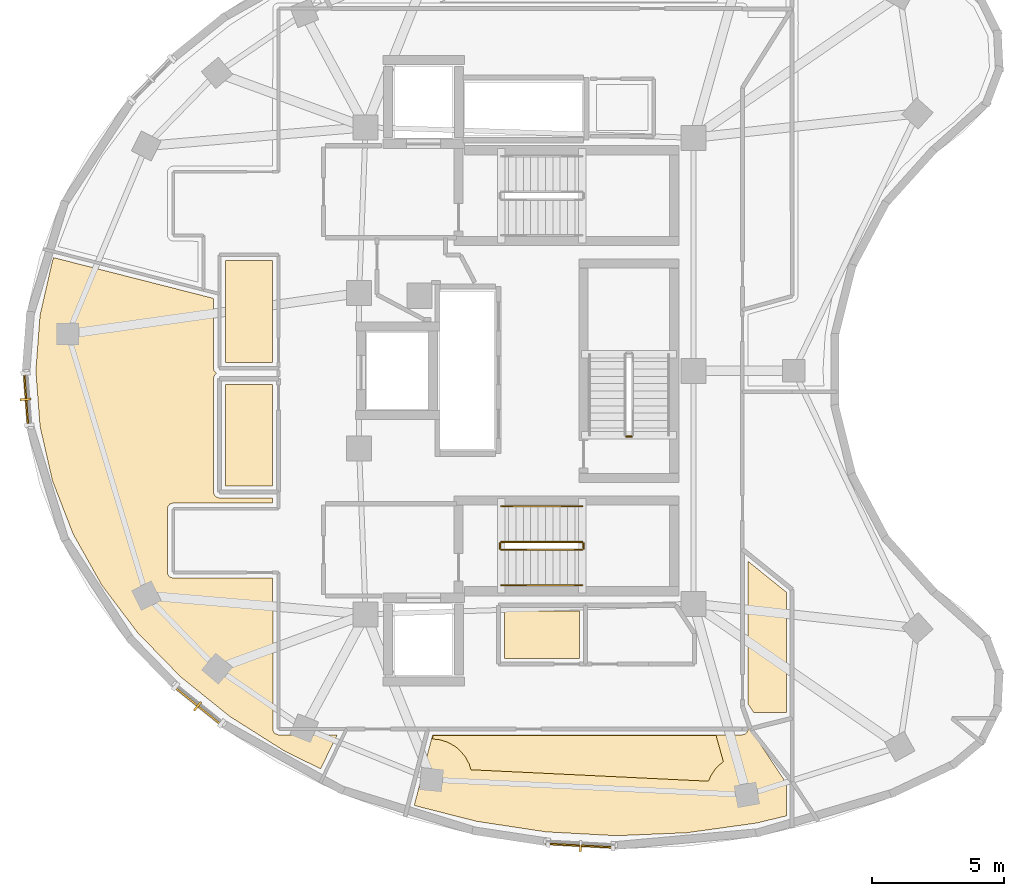
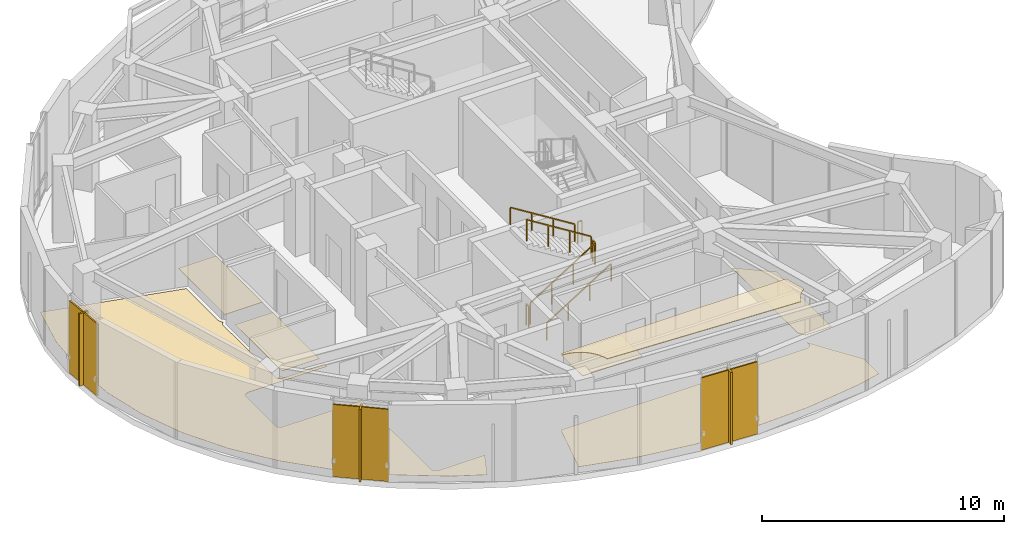
# One storey, part 8 of 10: 7 coverings, 7 railings, 6 shading devices.
"""IFC4 building model written with IfcOpenShell, lengths in metres."""

from ifc_helpers import new_model, si_unit, direction, frame, origin, origin_2d, place, context, subcontext, project, spatial, polyline, rectangle, outline, extrude, material, layer, layer_set, type_object, element, save


model = new_model("IFC4")

# Units and contexts
model_context = context("Model", 3, precision=1e-05, world=origin(), true_north=direction((0.0, 1.0)))
body_context = subcontext(model_context, "Body", "Model", "MODEL_VIEW")
ifc_project = project(units=[si_unit("LENGTHUNIT", "METRE"), si_unit("AREAUNIT", "SQUARE_METRE"), si_unit("VOLUMEUNIT", "CUBIC_METRE"), si_unit("PLANEANGLEUNIT", "RADIAN"), si_unit("MASSUNIT", "GRAM", prefix="KILO")], contexts=[model_context])

# Site, building, storey
site_placement = place(None, origin())
site = spatial("IfcSite", under=ifc_project, at=site_placement, CompositionType="ELEMENT")
building_placement = place(site_placement, origin())
building = spatial("IfcBuilding", under=site, at=building_placement, Name="Korentha Bioscience Tower", CompositionType="ELEMENT")
storey_placement = place(building_placement, frame((0.0, 0.0, 306.0)))
storey = spatial("IfcBuildingStorey", under=building, at=storey_placement, Name="L70", CompositionType="ELEMENT", Elevation=306.0)

# Covering
ifc_material_1 = material(Name="Vitrified Porcelain Tile", Category="ceramic")
ifc_layer_1 = layer(ifc_material_1, 0.014892578125, Name="Vitrified Porcelain Tile")
ifc_layer_set_1 = layer_set([ifc_layer_1], Name="Vitrified Porcelain Tile (FL-CER)")
covering_type_1 = type_object("IfcCoveringType", Name="Anti-Slip Ceramic Wet-Room Tile Flooring 15", PredefinedType="FLOORING", material=ifc_layer_set_1)
covering_1_placement = place(storey_placement, origin())
element("IfcCovering", 1, at=covering_1_placement, inside=storey, type_object=covering_type_1, Name="L70 Reclaimed Bank-2 Accessible Staff WC Floor Finish", PredefinedType="FLOORING", context=body_context, shape_type="SweptSolid", body=[
    extrude(outline(polyline([(21.570068359375, 27.320068359375), (19.77001953125, 27.320068359375), (19.77001953125, 31.179931640625), (21.570068359375, 31.179931640625), (21.570068359375, 27.320068359375)])), origin(), (0.0, 0.0, 1.0), 0.014892578125),
])

# Railings
ifc_material_2 = material(Name="Stainless Steel 304", Category="steel")
railing_type_1 = type_object("IfcRailingType", Name="Brushed Stainless Stair Handrail 900", PredefinedType="HANDRAIL", material=ifc_material_2)
railing_1_placement = place(storey_placement, frame((30.25, 18.85009765625, 0.175048828125)))
element("IfcRailing", 2, at=railing_1_placement, inside=storey, type_object=railing_type_1, Name="L70 ST-2 stair handrail 1", PredefinedType="HANDRAIL", context=body_context, shape_type="SweptSolid", body=[
    extrude(rectangle(XDim=0.048095703125, YDim=0.048095703125, at=origin_2d()), frame((0.0, 0.0, 0.8759765625), z_axis=(0.847998304005, 0.0, 0.529998940003), x_axis=(0.0, 1.0, 0.0)), (0.0, 0.0, 1.0), 3.632080078125),
    extrude(rectangle(XDim=0.0419921875, YDim=0.0419921875, at=origin_2d()), origin(), (0.0, 0.0, 1.0), 0.851806640625),
    extrude(rectangle(XDim=0.0419921875, YDim=0.0419921875, at=origin_2d()), frame((1.026611328125, 0.0, 0.6416015625)), (0.0, 0.0, 1.0), 0.851806640625),
    extrude(rectangle(XDim=0.0419921875, YDim=0.0419921875, at=origin_2d()), frame((2.053466796875, 0.0, 1.283447265625)), (0.0, 0.0, 1.0), 0.851806640625),
    extrude(rectangle(XDim=0.0419921875, YDim=0.0419921875, at=origin_2d()), frame((3.080078125, 0.0, 1.925048828125)), (0.0, 0.0, 1.0), 0.851806640625),
])
railing_2_placement = place(storey_placement, frame((33.330078125, 21.85009765625, 2.27490234375)))
element("IfcRailing", 3, at=railing_2_placement, inside=storey, type_object=railing_type_1, Name="L70 ST-2 stair handrail 2", PredefinedType="HANDRAIL", context=body_context, shape_type="SweptSolid", body=[
    extrude(rectangle(XDim=0.048095703125, YDim=0.048095703125, at=origin_2d()), frame((0.0, 0.0, 0.8759765625), z_axis=(-0.847998304005, 0.0, 0.529998940003), x_axis=(0.0, -1.0, 0.0)), (0.0, 0.0, 1.0), 3.632080078125),
    extrude(rectangle(XDim=0.0419921875, YDim=0.0419921875, at=origin_2d()), origin(), (0.0, 0.0, 1.0), 0.851806640625),
    extrude(rectangle(XDim=0.0419921875, YDim=0.0419921875, at=origin_2d()), frame((-1.026611328125, 0.0, 0.6416015625)), (0.0, 0.0, 1.0), 0.851806640625),
    extrude(rectangle(XDim=0.0419921875, YDim=0.0419921875, at=origin_2d()), frame((-2.053466796875, 0.0, 1.283447265625)), (0.0, 0.0, 1.0), 0.851806640625),
    extrude(rectangle(XDim=0.0419921875, YDim=0.0419921875, at=origin_2d()), frame((-3.080078125, 0.0, 1.925048828125)), (0.0, 0.0, 1.0), 0.851806640625),
])

# Covering
ifc_material_3 = material(Name="Antimicrobial Mineral Fibre Board", Category="gypsum")
ifc_layer_2 = layer(ifc_material_3, 0.034912109375, Name="Antimicrobial Mineral Fibre Board")
ifc_layer_set_2 = layer_set([ifc_layer_2], Name="Antimicrobial Mineral Fibre Board (CL-MF35)")
covering_type_2 = type_object("IfcCoveringType", Name="Mineral-Fibre Cleanroom Suspended Ceiling 35", PredefinedType="CEILING", material=ifc_layer_set_2)
covering_2_placement = place(storey_placement, frame((0.0, 0.0, 3.864990234375)))
element("IfcCovering", 4, at=covering_2_placement, inside=storey, type_object=covering_type_2, Name="L70 Staff Pantry Kitchenette 03 Acoustic Ceiling", PredefinedType="CEILING", context=body_context, shape_type="SweptSolid", body=[
    extrude(outline(polyline([(38.68798828125, 12.15380859375), (38.485595703125, 11.9853515625), (38.383544921875, 11.872802734375), (38.214599609375, 11.6201171875), (38.12353515625, 11.40966796875), (29.103515625, 11.843994140625), (29.0341796875, 12.0595703125), (28.890869140625, 12.327392578125), (28.697998046875, 12.5625), (28.58544921875, 12.66455078125), (28.463134765625, 12.755126953125), (28.1953125, 12.8984375), (27.904541015625, 12.986572265625), (27.634521484375, 13.014892578125), (27.66650390625, 13.137451171875), (38.412109375, 13.139892578125), (38.68798828125, 12.15380859375)])), origin(), (0.0, 0.0, 1.0), 0.034912109375),
])

# Railings
ifc_material_4 = material(Name="Painted Steel S275", Category="steel")
railing_type_2 = type_object("IfcRailingType", Name="Painted Steel Stair Well Guardrail 1100", PredefinedType="GUARDRAIL", material=ifc_material_4)
railing_3_placement = place(storey_placement, frame((30.25, 20.199951171875, 0.175048828125)))
element("IfcRailing", 5, at=railing_3_placement, inside=storey, type_object=railing_type_2, Name="L70 ST-2 stair guard 1", PredefinedType="GUARDRAIL", context=body_context, shape_type="SweptSolid", body=[
    extrude(rectangle(XDim=0.048095703125, YDim=0.048095703125, at=origin_2d()), frame((0.0, 0.0, 1.076171875), z_axis=(0.847998304005, 0.0, 0.529998940003), x_axis=(0.0, 1.0, 0.0)), (0.0, 0.0, 1.0), 3.632080078125),
    extrude(rectangle(XDim=0.0419921875, YDim=0.0419921875, at=origin_2d()), origin(), (0.0, 0.0, 1.0), 1.052001953125),
    extrude(rectangle(XDim=0.0419921875, YDim=0.0419921875, at=origin_2d()), frame((1.026611328125, 0.0, 0.6416015625)), (0.0, 0.0, 1.0), 1.052001953125),
    extrude(rectangle(XDim=0.0419921875, YDim=0.0419921875, at=origin_2d()), frame((2.053466796875, 0.0, 1.283447265625)), (0.0, 0.0, 1.0), 1.052001953125),
    extrude(rectangle(XDim=0.0419921875, YDim=0.0419921875, at=origin_2d()), frame((3.080078125, 0.0, 1.925048828125)), (0.0, 0.0, 1.0), 1.052001953125),
])
railing_4_placement = place(storey_placement, frame((33.3798828125, 20.25, 2.10009765625)))
element("IfcRailing", 6, at=railing_4_placement, inside=storey, type_object=railing_type_2, Name="L70 ST-2 stair guard 2", PredefinedType="GUARDRAIL", context=body_context, shape_type="SweptSolid", body=[
    extrude(rectangle(XDim=0.048095703125, YDim=0.048095703125, at=origin_2d()), frame((0.0, 0.0, 1.076171875), z_axis=(0.0, 1.0, 0.0), x_axis=(-1.0, 0.0, 0.0)), (0.0, 0.0, 1.0), 0.199951171875),
    extrude(rectangle(XDim=0.0419921875, YDim=0.0419921875, at=origin_2d()), origin(), (0.0, 0.0, 1.0), 1.052001953125),
    extrude(rectangle(XDim=0.0419921875, YDim=0.0419921875, at=origin_2d()), frame((0.0, 0.199951171875, 0.0)), (0.0, 0.0, 1.0), 1.052001953125),
])
railing_5_placement = place(storey_placement, frame((33.330078125, 20.5, 2.27490234375)))
element("IfcRailing", 7, at=railing_5_placement, inside=storey, type_object=railing_type_2, Name="L70 ST-2 stair guard 3", PredefinedType="GUARDRAIL", context=body_context, shape_type="SweptSolid", body=[
    extrude(rectangle(XDim=0.048095703125, YDim=0.048095703125, at=origin_2d()), frame((0.0, 0.0, 1.076171875), z_axis=(-0.847998304005, 0.0, 0.529998940003), x_axis=(0.0, -1.0, 0.0)), (0.0, 0.0, 1.0), 3.632080078125),
    extrude(rectangle(XDim=0.0419921875, YDim=0.0419921875, at=origin_2d()), origin(), (0.0, 0.0, 1.0), 1.052001953125),
    extrude(rectangle(XDim=0.0419921875, YDim=0.0419921875, at=origin_2d()), frame((-1.026611328125, 0.0, 0.6416015625)), (0.0, 0.0, 1.0), 1.052001953125),
    extrude(rectangle(XDim=0.0419921875, YDim=0.0419921875, at=origin_2d()), frame((-2.053466796875, 0.0, 1.283447265625)), (0.0, 0.0, 1.0), 1.052001953125),
    extrude(rectangle(XDim=0.0419921875, YDim=0.0419921875, at=origin_2d()), frame((-3.080078125, 0.0, 1.925048828125)), (0.0, 0.0, 1.0), 1.052001953125),
])
railing_6_placement = place(storey_placement, frame((30.199951171875, 20.25, 0.0)))
element("IfcRailing", 8, at=railing_6_placement, inside=storey, type_object=railing_type_2, Name="L70 ST-2 stair guard 4", PredefinedType="GUARDRAIL", context=body_context, shape_type="SweptSolid", body=[
    extrude(rectangle(XDim=0.048095703125, YDim=0.048095703125, at=origin_2d()), frame((0.0, 0.0, 1.076171875), z_axis=(0.0, 1.0, 0.0), x_axis=(-1.0, 0.0, 0.0)), (0.0, 0.0, 1.0), 0.199951171875),
    extrude(rectangle(XDim=0.0419921875, YDim=0.0419921875, at=origin_2d()), origin(), (0.0, 0.0, 1.0), 1.052001953125),
    extrude(rectangle(XDim=0.0419921875, YDim=0.0419921875, at=origin_2d()), frame((0.0, 0.199951171875, 0.0)), (0.0, 0.0, 1.0), 1.052001953125),
])
railing_7_placement = place(storey_placement, frame((35.199951171875, 24.5, 0.0)))
element("IfcRailing", 9, at=railing_7_placement, inside=storey, type_object=railing_type_2, Name="L70 ST-3 stair guard 4", PredefinedType="GUARDRAIL", context=body_context, shape_type="SweptSolid", body=[
    extrude(rectangle(XDim=0.048095703125, YDim=0.048095703125, at=origin_2d()), frame((0.0, 0.0, 1.076171875), z_axis=(-1.0, 0.0, 0.0), x_axis=(0.0, -1.0, 0.0)), (0.0, 0.0, 1.0), 0.199951171875),
    extrude(rectangle(XDim=0.0419921875, YDim=0.0419921875, at=origin_2d()), origin(), (0.0, 0.0, 1.0), 1.052001953125),
    extrude(rectangle(XDim=0.0419921875, YDim=0.0419921875, at=origin_2d()), frame((-0.199951171875, 0.0, 0.0)), (0.0, 0.0, 1.0), 1.052001953125),
])

# Shading devices
ifc_material_5 = material(Name="Perforated Stone-Ceramic Composite", Category="masonry")
ifc_layer_3 = layer(ifc_material_5, 0.06494140625, Name="Perforated Stone-Ceramic Composite")
ifc_layer_set_3 = layer_set([ifc_layer_3], Name="Perforated Stone-Ceramic Composite (CS-01)")
shading_device_type_1 = type_object("IfcShadingDeviceType", Name="Perforated Stone-Ceramic Solar Screen Panel 65", PredefinedType="USERDEFINED", material=ifc_layer_set_3)
shading_device_1_placement = place(storey_placement, frame((12.202880859375, 25.914794921875, 0.0), z_axis=(0.0, 0.0, 1.0), x_axis=(0.075073021346, -0.997178039001, 0.0)))
element("IfcShadingDevice", 10, at=shading_device_1_placement, inside=storey, type_object=shading_device_type_1, Name="CW-L70-19 Perforated Stone-Ceramic Solar Screen", ObjectType="SCREEN", PredefinedType="USERDEFINED", context=body_context, shape_type="SweptSolid", body=[
    extrude(rectangle(XDim=2.085693359375, YDim=0.06494140625, at=origin_2d()), origin(), (0.0, 0.0, 1.0), 3.64990234375),
])
shading_device_2_placement = place(storey_placement, frame((18.72509765625, 14.270263671875, 0.0), z_axis=(0.0, 0.0, 1.0), x_axis=(0.778807101094, -0.62726350068, 0.0)))
element("IfcShadingDevice", 11, at=shading_device_2_placement, inside=storey, type_object=shading_device_type_1, Name="CW-L70-25 Perforated Stone-Ceramic Solar Screen", ObjectType="SCREEN", PredefinedType="USERDEFINED", context=body_context, shape_type="SweptSolid", body=[
    extrude(rectangle(XDim=2.37109375, YDim=0.06494140625, at=origin_2d()), origin(), (0.0, 0.0, 1.0), 3.64990234375),
])
shading_device_3_placement = place(storey_placement, frame((33.261962890625, 8.96240234375, 0.0), z_axis=(0.0, 0.0, 1.0), x_axis=(0.998526001182, -0.054275454513, 0.0)))
element("IfcShadingDevice", 12, at=shading_device_3_placement, inside=storey, type_object=shading_device_type_1, Name="CW-L70-31 Perforated Stone-Ceramic Solar Screen", ObjectType="SCREEN", PredefinedType="USERDEFINED", context=body_context, shape_type="SweptSolid", body=[
    extrude(rectangle(XDim=2.629638671875, YDim=0.06494140625, at=origin_2d()), origin(), (0.0, 0.0, 1.0), 3.64990234375),
])

# Coverings
ifc_material_6 = material(Name="Chemical-Resistant Epoxy Resin", Category="polymer")
ifc_layer_4 = layer(ifc_material_6, 0.011962890625, Name="Chemical-Resistant Epoxy Resin")
ifc_layer_set_4 = layer_set([ifc_layer_4], Name="Chemical-Resistant Epoxy Resin (FL-EPX)")
covering_type_3 = type_object("IfcCoveringType", Name="Seamless Epoxy Laboratory Flooring 12", PredefinedType="FLOORING", material=ifc_layer_set_4)
covering_3_placement = place(storey_placement, origin())
element("IfcCovering", 13, at=covering_3_placement, inside=storey, type_object=covering_type_3, Name="L70 Core Instrumentation and Gas Store Floor Finish", PredefinedType="FLOORING", context=body_context, shape_type="SweptSolid", body=[
    extrude(outline(polyline([(30.3701171875, 16.080078125), (30.3701171875, 17.8701171875), (33.22998046875, 17.8701171875), (33.22998046875, 16.080078125), (30.3701171875, 16.080078125)])), origin(), (0.0, 0.0, 1.0), 0.011962890625),
])
covering_4_placement = place(storey_placement, origin())
element("IfcCovering", 14, at=covering_4_placement, inside=storey, type_object=covering_type_3, Name="L70 Reclaimed Bank-2 Electrical Switchgear Store Floor Finish", PredefinedType="FLOORING", context=body_context, shape_type="SweptSolid", body=[
    extrude(outline(polyline([(21.570068359375, 22.6201171875), (19.77001953125, 22.6201171875), (19.77001953125, 26.47998046875), (21.570068359375, 26.47998046875), (21.570068359375, 22.6201171875)])), origin(), (0.0, 0.0, 1.0), 0.011962890625),
])
covering_5_placement = place(storey_placement, origin())
element("IfcCovering", 15, at=covering_5_placement, inside=storey, type_object=covering_type_3, Name="L70 Principal Investigator Office 01 Floor Finish", PredefinedType="FLOORING", context=body_context, shape_type="SweptSolid", body=[
    extrude(outline(polyline([(12.730712890625, 29.103271484375), (13.2041015625, 31.177978515625), (13.25048828125, 31.2978515625), (19.320068359375, 29.750732421875), (19.3203125, 27.089111328125), (19.35302734375, 26.981201171875), (19.436767578125, 26.89990234375), (19.3525390625, 26.81787109375), (19.320068359375, 26.699951171875), (19.326904296875, 22.343505859375), (19.364990234375, 22.263427734375), (19.41259765625, 22.215576171875), (19.5380859375, 22.17041015625), (21.570068359375, 22.169921875), (21.570068359375, 21.97998046875), (17.800048828125, 21.97998046875), (17.663330078125, 21.93505859375), (17.6025390625, 21.867919921875), (17.5703125, 21.7607421875), (17.576904296875, 19.294677734375), (17.60302734375, 19.231201171875), (17.66259765625, 19.16552734375), (17.789306640625, 19.120361328125), (21.570068359375, 19.1201171875), (21.576904296875, 13.343505859375), (21.614990234375, 13.263427734375), (21.66259765625, 13.215576171875), (21.7880859375, 13.17041015625), (24.0185546875, 13.169921875), (23.39013671875, 11.88134765625), (22.041748046875, 12.5400390625), (19.947021484375, 13.864013671875), (18.069091796875, 15.376220703125), (16.435791015625, 17.05419921875), (15.068603515625, 18.872314453125), (13.98681640625, 20.80419921875), (13.2041015625, 22.82177734375), (12.730712890625, 24.896484375), (12.572509765625, 27.0), (12.730712890625, 29.103271484375)])), origin(), (0.0, 0.0, 1.0), 0.011962890625),
])
covering_6_placement = place(storey_placement, origin())
element("IfcCovering", 16, at=covering_6_placement, inside=storey, type_object=covering_type_3, Name="L70 Staff Pantry Kitchenette 03 Floor Finish", PredefinedType="FLOORING", context=body_context, shape_type="SweptSolid", body=[
    extrude(outline(polyline([(27.643310546875, 13.16748046875), (39.410888671875, 13.17041015625), (39.517822265625, 13.202392578125), (39.596923828125, 13.28125), (39.627685546875, 13.36669921875), (39.6298828125, 13.525146484375), (41.077880859375, 11.3291015625), (41.077880859375, 10.09228515625), (39.9462890625, 9.819580078125), (37.303955078125, 9.451416015625), (34.625, 9.339111328125), (31.9482421875, 9.484619140625), (29.3134765625, 9.885498046875), (26.945556640625, 10.488037109375), (27.643310546875, 13.16748046875)])), origin(), (0.0, 0.0, 1.0), 0.011962890625),
])
covering_7_placement = place(storey_placement, origin())
element("IfcCovering", 17, at=covering_7_placement, inside=storey, type_object=covering_type_3, Name="L70 Cryogenic Dewar Supply Store 05 Floor Finish", PredefinedType="FLOORING", context=body_context, shape_type="SweptSolid", body=[
    extrude(outline(polyline([(39.6298828125, 14.3330078125), (39.6298828125, 19.760009765625), (41.077880859375, 18.591552734375), (41.077880859375, 14.02197265625), (39.83984375, 14.02197265625), (39.6298828125, 14.3330078125)])), origin(), (0.0, 0.0, 1.0), 0.011962890625),
])

# Shading devices
ifc_material_7 = material(Name="Honed Travertine Limestone", Category="masonry")
ifc_layer_5 = layer(ifc_material_7, 0.080078125, Name="Honed Travertine Limestone")
ifc_layer_set_5 = layer_set([ifc_layer_5], Name="Honed Travertine Limestone (CS-02)")
shading_device_type_2 = type_object("IfcShadingDeviceType", Name="Vertical Honed Limestone Sunshade Fin 80x420", PredefinedType="USERDEFINED", material=ifc_layer_set_5)
for number, where, z_axis, x_axis, name in (
    (18, (12.182861328125, 25.9130859375, 0.0), (0.0, 0.0, 1.0), (0.075073021346, -0.997178039001, 0.0), "CW-L70-19 Limestone Sunshade Fin"),
    (19, (18.71240234375, 14.254638671875, 0.0), (0.0, 0.0, 1.0), (0.778807101094, -0.62726350068, 0.0), "CW-L70-25 Limestone Sunshade Fin"),
    (20, (33.260986328125, 8.9423828125, 0.0), (0.0, 0.0, 1.0), (0.998526001182, -0.054275454513, 0.0), "CW-L70-31 Limestone Sunshade Fin"),
):
    element("IfcShadingDevice", number, at=place(storey_placement, frame(where, z_axis=z_axis, x_axis=x_axis)), inside=storey, type_object=shading_device_type_2, Name=name, ObjectType="SCREEN", PredefinedType="USERDEFINED", context=body_context, shape_type="SweptSolid", body=[
        extrude(rectangle(XDim=0.080078125, YDim=0.419921875, at=origin_2d()), origin(), (0.0, 0.0, 1.0), 3.64990234375),
    ])

save(model, "model.ifc")
